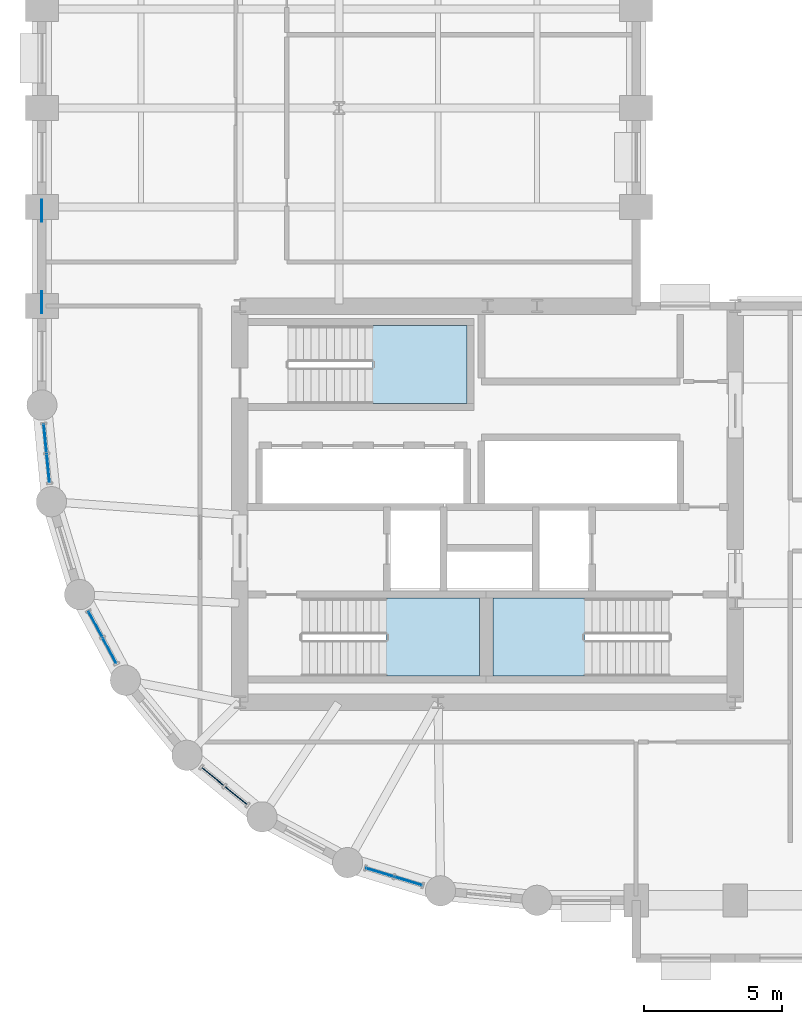
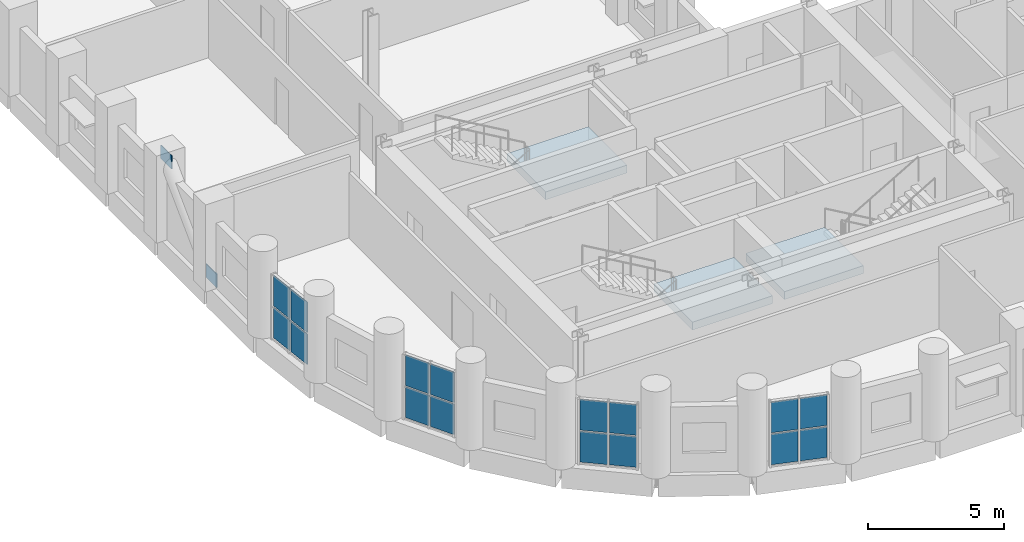
# One storey, part 6 of 14: 18 plates, 3 slabs, 7 elements without a shape of their own.
"""IFC4 building model written with IfcOpenShell, lengths in metres."""

from ifc_helpers import new_model, si_unit, direction, frame, origin, origin_2d, place, context, subcontext, project, spatial, polyline, rectangle, outline, extrude, material, layer, layer_set, type_object, element, aggregate, save


model = new_model("IFC4")

# Units and contexts
model_context = context("Model", 3, precision=1e-05, world=origin(), true_north=direction((0.0, 1.0)))
body_context = subcontext(model_context, "Body", "Model", "MODEL_VIEW")
ifc_project = project(units=[si_unit("LENGTHUNIT", "METRE"), si_unit("AREAUNIT", "SQUARE_METRE"), si_unit("VOLUMEUNIT", "CUBIC_METRE"), si_unit("PLANEANGLEUNIT", "RADIAN"), si_unit("MASSUNIT", "GRAM", prefix="KILO")], contexts=[model_context])

# Site, building, storey
site_placement = place(None, origin())
site = spatial("IfcSite", under=ifc_project, at=site_placement, CompositionType="ELEMENT")
building_placement = place(site_placement, origin())
building = spatial("IfcBuilding", under=site, at=building_placement, Name="Solnavia Interchange Tower", CompositionType="ELEMENT")
storey_placement = place(building_placement, frame((0.0, 0.0, 63.0)))
storey = spatial("IfcBuildingStorey", under=building, at=storey_placement, Name="L15", CompositionType="ELEMENT", Elevation=63.0)

# Curtain wall, plates
ifc_material_1 = material(Name="Aluminium Alloy 6063-T6", Category="aluminium")
ifc_layer_1 = layer(ifc_material_1, 0.239990234375)
ifc_layer_set_1 = layer_set([ifc_layer_1], Name="Aluminium Alloy 6063-T6")
curtain_wall_type = type_object("IfcCurtainWallType", Name="CurtainWall-Drum-CTW2", PredefinedType="NOTDEFINED", material=ifc_layer_set_1)
curtain_wall_1_placement = place(storey_placement, origin())
curtain_wall_1 = element("IfcCurtainWall", 1, at=curtain_wall_1_placement, inside=storey, type_object=curtain_wall_type, Name="CTW-L15-D57 CTW-2 curtain wall", PredefinedType="NOTDEFINED")
ifc_material_2 = material(Name="Double-Glazed Low-E IGU Glass", Category="glass")
ifc_layer_2 = layer(ifc_material_2, 0.031982421875)
ifc_layer_set_2 = layer_set([ifc_layer_2], Name="Double-Glazed Low-E IGU Glass")
plate_type_1 = type_object("IfcPlateType", Name="CW-Panel-Solar-32", PredefinedType="CURTAIN_PANEL", material=ifc_layer_set_2)
plate_1_placement = place(storey_placement, frame((7.319580078125, 20.38623046875, 0.06494140625), z_axis=(0.0, 0.0, 1.0), x_axis=(0.098045297616, -0.995181953019, 0.0)))
plate_1 = element("IfcPlate", 2, at=plate_1_placement, type_object=plate_type_1, Name="CTW-2 panel 1.1", PredefinedType="CURTAIN_PANEL", context=body_context, shape_type="SweptSolid", body=[
    extrude(rectangle(XDim=1.0146484375, YDim=0.031982421875, at=origin_2d()), origin(), (0.0, 0.0, 1.0), 1.367431640625),
])
plate_2_placement = place(storey_placement, frame((7.319580078125, 20.38623046875, 1.49755859375), z_axis=(0.0, 0.0, 1.0), x_axis=(0.098045297616, -0.995181953019, 0.0)))
plate_2 = element("IfcPlate", 3, at=plate_2_placement, type_object=plate_type_1, Name="CTW-2 panel 1.2", PredefinedType="CURTAIN_PANEL", context=body_context, shape_type="SweptSolid", body=[
    extrude(rectangle(XDim=1.0146484375, YDim=0.031982421875, at=origin_2d()), origin(), (0.0, 0.0, 1.0), 1.367431640625),
])
plate_3_placement = place(storey_placement, frame((7.426513671875, 19.3017578125, 0.06494140625), z_axis=(0.0, 0.0, 1.0), x_axis=(0.098045297616, -0.995181953019, 0.0)))
plate_3 = element("IfcPlate", 4, at=plate_3_placement, type_object=plate_type_1, Name="CTW-2 panel 2.1", PredefinedType="CURTAIN_PANEL", context=body_context, shape_type="SweptSolid", body=[
    extrude(rectangle(XDim=1.0146484375, YDim=0.031982421875, at=origin_2d()), origin(), (0.0, 0.0, 1.0), 1.367431640625),
])
plate_4_placement = place(storey_placement, frame((7.426513671875, 19.3017578125, 1.49755859375), z_axis=(0.0, 0.0, 1.0), x_axis=(0.098045297616, -0.995181953019, 0.0)))
plate_4 = element("IfcPlate", 5, at=plate_4_placement, type_object=plate_type_1, Name="CTW-2 panel 2.2", PredefinedType="CURTAIN_PANEL", context=body_context, shape_type="SweptSolid", body=[
    extrude(rectangle(XDim=1.0146484375, YDim=0.031982421875, at=origin_2d()), origin(), (0.0, 0.0, 1.0), 1.367431640625),
])
aggregate(curtain_wall_1, [plate_1, plate_2, plate_3, plate_4])

curtain_wall_2_placement = place(storey_placement, origin())
curtain_wall_2 = element("IfcCurtainWall", 6, at=curtain_wall_2_placement, inside=storey, type_object=curtain_wall_type, Name="CTW-L15-D59 CTW-2 curtain wall", PredefinedType="NOTDEFINED")
plate_5_placement = place(storey_placement, frame((9.14501953125, 13.636474609375, 0.06494140625), z_axis=(0.0, 0.0, 1.0), x_axis=(0.471536719402, -0.881846427818, 0.0)))
plate_5 = element("IfcPlate", 7, at=plate_5_placement, type_object=plate_type_1, Name="CTW-2 panel 1.1", PredefinedType="CURTAIN_PANEL", context=body_context, shape_type="SweptSolid", body=[
    extrude(rectangle(XDim=1.014404296875, YDim=0.031982421875, at=origin_2d()), origin(), (0.0, 0.0, 1.0), 1.367431640625),
])
plate_6_placement = place(storey_placement, frame((9.14501953125, 13.636474609375, 1.49755859375), z_axis=(0.0, 0.0, 1.0), x_axis=(0.471536719402, -0.881846427818, 0.0)))
plate_6 = element("IfcPlate", 8, at=plate_6_placement, type_object=plate_type_1, Name="CTW-2 panel 1.2", PredefinedType="CURTAIN_PANEL", context=body_context, shape_type="SweptSolid", body=[
    extrude(rectangle(XDim=1.014404296875, YDim=0.031982421875, at=origin_2d()), origin(), (0.0, 0.0, 1.0), 1.367431640625),
])
plate_7_placement = place(storey_placement, frame((9.658935546875, 12.675537109375, 0.06494140625), z_axis=(0.0, 0.0, 1.0), x_axis=(0.471536719402, -0.881846427818, 0.0)))
plate_7 = element("IfcPlate", 9, at=plate_7_placement, type_object=plate_type_1, Name="CTW-2 panel 2.1", PredefinedType="CURTAIN_PANEL", context=body_context, shape_type="SweptSolid", body=[
    extrude(rectangle(XDim=1.014404296875, YDim=0.031982421875, at=origin_2d()), origin(), (0.0, 0.0, 1.0), 1.367431640625),
])
plate_8_placement = place(storey_placement, frame((9.658935546875, 12.675537109375, 1.49755859375), z_axis=(0.0, 0.0, 1.0), x_axis=(0.471536719402, -0.881846427818, 0.0)))
plate_8 = element("IfcPlate", 10, at=plate_8_placement, type_object=plate_type_1, Name="CTW-2 panel 2.2", PredefinedType="CURTAIN_PANEL", context=body_context, shape_type="SweptSolid", body=[
    extrude(rectangle(XDim=1.014404296875, YDim=0.031982421875, at=origin_2d()), origin(), (0.0, 0.0, 1.0), 1.367431640625),
])
aggregate(curtain_wall_2, [plate_5, plate_6, plate_7, plate_8])

curtain_wall_3_placement = place(storey_placement, origin())
curtain_wall_3 = element("IfcCurtainWall", 11, at=curtain_wall_3_placement, inside=storey, type_object=curtain_wall_type, Name="CTW-L15-D61 CTW-2 curtain wall", PredefinedType="NOTDEFINED")
plate_9_placement = place(storey_placement, frame((13.4150390625, 8.098388671875, 0.06494140625), z_axis=(0.0, 0.0, 1.0), x_axis=(0.773094572227, -0.634290771172, 0.0)))
plate_9 = element("IfcPlate", 12, at=plate_9_placement, type_object=plate_type_1, Name="CTW-2 panel 1.1", PredefinedType="CURTAIN_PANEL", context=body_context, shape_type="SweptSolid", body=[
    extrude(rectangle(XDim=1.01416015625, YDim=0.031982421875, at=origin_2d()), origin(), (0.0, 0.0, 1.0), 1.367431640625),
])
plate_10_placement = place(storey_placement, frame((13.4150390625, 8.098388671875, 1.49755859375), z_axis=(0.0, 0.0, 1.0), x_axis=(0.773094572227, -0.634290771172, 0.0)))
plate_10 = element("IfcPlate", 13, at=plate_10_placement, type_object=plate_type_1, Name="CTW-2 panel 1.2", PredefinedType="CURTAIN_PANEL", context=body_context, shape_type="SweptSolid", body=[
    extrude(rectangle(XDim=1.01416015625, YDim=0.031982421875, at=origin_2d()), origin(), (0.0, 0.0, 1.0), 1.367431640625),
])
plate_11_placement = place(storey_placement, frame((14.257080078125, 7.407470703125, 0.06494140625), z_axis=(0.0, 0.0, 1.0), x_axis=(0.773094572227, -0.634290771172, 0.0)))
plate_11 = element("IfcPlate", 14, at=plate_11_placement, type_object=plate_type_1, Name="CTW-2 panel 2.1", PredefinedType="CURTAIN_PANEL", context=body_context, shape_type="SweptSolid", body=[
    extrude(rectangle(XDim=1.01416015625, YDim=0.031982421875, at=origin_2d()), origin(), (0.0, 0.0, 1.0), 1.367431640625),
])
plate_12_placement = place(storey_placement, frame((14.257080078125, 7.407470703125, 1.49755859375), z_axis=(0.0, 0.0, 1.0), x_axis=(0.773094572227, -0.634290771172, 0.0)))
plate_12 = element("IfcPlate", 15, at=plate_12_placement, type_object=plate_type_1, Name="CTW-2 panel 2.2", PredefinedType="CURTAIN_PANEL", context=body_context, shape_type="SweptSolid", body=[
    extrude(rectangle(XDim=1.01416015625, YDim=0.031982421875, at=origin_2d()), origin(), (0.0, 0.0, 1.0), 1.367431640625),
])
aggregate(curtain_wall_3, [plate_9, plate_10, plate_11, plate_12])

curtain_wall_4_placement = place(storey_placement, origin())
curtain_wall_4 = element("IfcCurtainWall", 16, at=curtain_wall_4_placement, inside=storey, type_object=curtain_wall_type, Name="CTW-L15-D63 CTW-2 curtain wall", PredefinedType="NOTDEFINED")
plate_13_placement = place(storey_placement, frame((19.47900390625, 4.615966796875, 0.06494140625), z_axis=(0.0, 0.0, 1.0), x_axis=(0.956934759739, -0.290303058206, 0.0)))
plate_13 = element("IfcPlate", 17, at=plate_13_placement, type_object=plate_type_1, Name="CTW-2 panel 1.1", PredefinedType="CURTAIN_PANEL", context=body_context, shape_type="SweptSolid", body=[
    extrude(rectangle(XDim=1.013916015625, YDim=0.031982421875, at=origin_2d()), origin(), (0.0, 0.0, 1.0), 1.367431640625),
])
plate_14_placement = place(storey_placement, frame((19.47900390625, 4.615966796875, 1.49755859375), z_axis=(0.0, 0.0, 1.0), x_axis=(0.956934759739, -0.290303058206, 0.0)))
plate_14 = element("IfcPlate", 18, at=plate_14_placement, type_object=plate_type_1, Name="CTW-2 panel 1.2", PredefinedType="CURTAIN_PANEL", context=body_context, shape_type="SweptSolid", body=[
    extrude(rectangle(XDim=1.013916015625, YDim=0.031982421875, at=origin_2d()), origin(), (0.0, 0.0, 1.0), 1.367431640625),
])
plate_15_placement = place(storey_placement, frame((20.52099609375, 4.300048828125, 0.06494140625), z_axis=(0.0, 0.0, 1.0), x_axis=(0.956934759739, -0.290303058206, 0.0)))
plate_15 = element("IfcPlate", 19, at=plate_15_placement, type_object=plate_type_1, Name="CTW-2 panel 2.1", PredefinedType="CURTAIN_PANEL", context=body_context, shape_type="SweptSolid", body=[
    extrude(rectangle(XDim=1.013916015625, YDim=0.031982421875, at=origin_2d()), origin(), (0.0, 0.0, 1.0), 1.367431640625),
])
plate_16_placement = place(storey_placement, frame((20.52099609375, 4.300048828125, 1.49755859375), z_axis=(0.0, 0.0, 1.0), x_axis=(0.956934759739, -0.290303058206, 0.0)))
plate_16 = element("IfcPlate", 20, at=plate_16_placement, type_object=plate_type_1, Name="CTW-2 panel 2.2", PredefinedType="CURTAIN_PANEL", context=body_context, shape_type="SweptSolid", body=[
    extrude(rectangle(XDim=1.013916015625, YDim=0.031982421875, at=origin_2d()), origin(), (0.0, 0.0, 1.0), 1.367431640625),
])
aggregate(curtain_wall_4, [plate_13, plate_14, plate_15, plate_16])

# Plates
ifc_material_3 = material(Name="Steel S460", Category="steel")
ifc_layer_3 = layer(ifc_material_3, 0.035888671875)
ifc_layer_set_3 = layer_set([ifc_layer_3], Name="Steel S460")
plate_type_2 = type_object("IfcPlateType", Name="Plate-Gusset-800x600x36", PredefinedType="USERDEFINED", material=ifc_layer_set_3)
for number, where, z_axis, x_axis, name in (
    (21, (7.199951171875, 25.340087890625, -0.1201171875), (0.0, 0.0, 1.0), (0.0, 1.0, 0.0), "PLT-L15-GP01 Perimeter brace gusset plate"),
    (22, (7.199951171875, 28.659912109375, 3.169921875), (0.0, 0.0, 1.0), (0.0, 1.0, 0.0), "PLT-L15-GP02 Perimeter brace gusset plate"),
):
    element("IfcPlate", number, at=place(storey_placement, frame(where, z_axis=z_axis, x_axis=x_axis)), inside=storey, type_object=plate_type_2, Name=name, ObjectType="GUSSET PLATE", PredefinedType="USERDEFINED", context=body_context, shape_type="SweptSolid", body=[
        extrude(rectangle(XDim=0.800048828125, YDim=0.035888671875, at=origin_2d()), origin(), (0.0, 0.0, 1.0), 0.60009765625),
    ])

# Stair, slab
ifc_material_4 = material(Name="Concrete C40/50", Category="concrete")
stair_type = type_object("IfcStairType", Name="Stair-Dogleg-RC", PredefinedType="HALF_TURN_STAIR", material=ifc_material_4)
stair_1_placement = place(storey_placement, origin())
stair_1 = element("IfcStair", 23, at=stair_1_placement, inside=storey, type_object=stair_type, Name="L15 Core exit stair 1", PredefinedType="HALF_TURN_STAIR")
ifc_layer_4 = layer(ifc_material_4, 0.35009765625)
ifc_layer_set_4 = layer_set([ifc_layer_4], Name="Concrete C40/50")
slab_type = type_object("IfcSlabType", Name="Slab-StairLanding-350", PredefinedType="LANDING", material=ifc_layer_set_4)
slab_1_placement = place(storey_placement, frame((0.0, 0.0, 1.60009765625)))
slab_1 = element("IfcSlab", 24, at=slab_1_placement, type_object=slab_type, Name="ST-1 landing 1", PredefinedType="LANDING", context=body_context, shape_type="SweptSolid", body=[
    extrude(outline(polyline([(19.7080078125, 11.75), (23.10009765625, 11.75), (23.10009765625, 14.590087890625), (19.7080078125, 14.590087890625), (19.7080078125, 11.75)])), origin(), (0.0, 0.0, 1.0), 0.349853515625),
])
aggregate(stair_1, [slab_1])

stair_2_placement = place(storey_placement, origin())
stair_2 = element("IfcStair", 25, at=stair_2_placement, inside=storey, type_object=stair_type, Name="L15 Core exit stair 2", PredefinedType="HALF_TURN_STAIR")
slab_2_placement = place(storey_placement, frame((0.0, 0.0, 1.60009765625)))
slab_2 = element("IfcSlab", 26, at=slab_2_placement, type_object=slab_type, Name="ST-2 landing 1", PredefinedType="LANDING", context=body_context, shape_type="SweptSolid", body=[
    extrude(outline(polyline([(23.60009765625, 11.75), (26.94189453125, 11.75), (26.94189453125, 14.590087890625), (23.60009765625, 14.590087890625), (23.60009765625, 11.75)])), origin(), (0.0, 0.0, 1.0), 0.349853515625),
])
aggregate(stair_2, [slab_2])

stair_3_placement = place(storey_placement, origin())
stair_3 = element("IfcStair", 27, at=stair_3_placement, inside=storey, type_object=stair_type, Name="L15 Core exit stair 3", PredefinedType="HALF_TURN_STAIR")
slab_3_placement = place(storey_placement, frame((0.0, 0.0, 1.60009765625)))
slab_3 = element("IfcSlab", 28, at=slab_3_placement, type_object=slab_type, Name="ST-3 landing 1", PredefinedType="LANDING", context=body_context, shape_type="SweptSolid", body=[
    extrude(outline(polyline([(19.2080078125, 21.64990234375), (22.64990234375, 21.64990234375), (22.64990234375, 24.489990234375), (19.2080078125, 24.489990234375), (19.2080078125, 21.64990234375)])), origin(), (0.0, 0.0, 1.0), 0.349853515625),
])
aggregate(stair_3, [slab_3])

save(model, "model.ifc")
